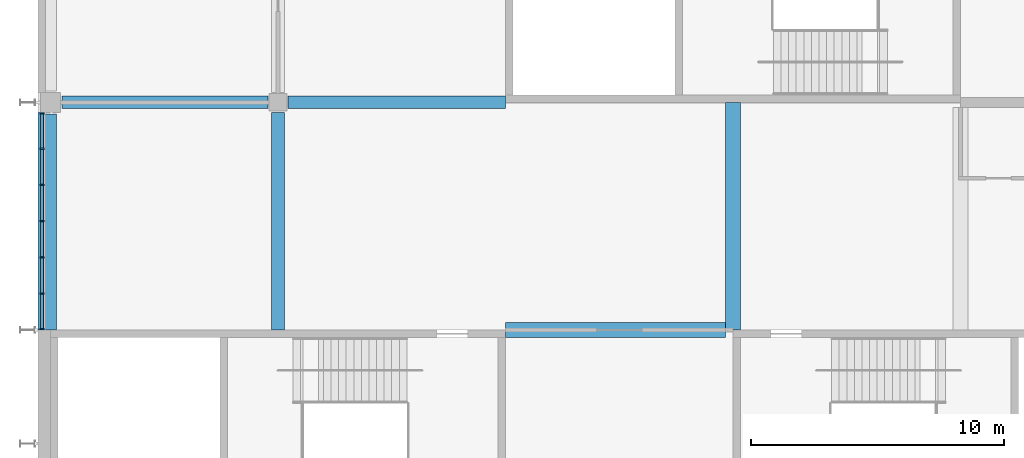
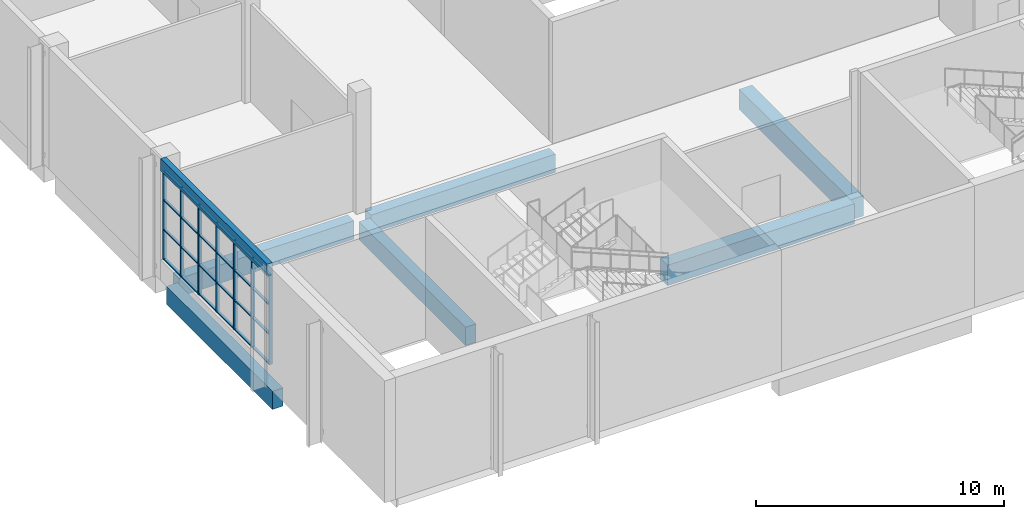
# One storey, part 6 of 89: 31 members, 7 beams, 1 element without a shape of its own.
"""IFC4 building model written with IfcOpenShell, lengths in metres."""

import ifcopenshell
import ifcopenshell.guid

model = None  # the IFC model being written
_history = None  # IfcOwnerHistory: only IFC2X3 demands one
_inside = {}  # id of a spatial element -> (the spatial element, [elements in it])
_under = {}  # id of a project, library or spatial element -> (it, [spatial elements below it])
_declared = {}  # id of a project -> (the project, [libraries it declares])
_typed = {}  # id of a type object -> (the type object, [elements of that type])
_made_of = {}  # id of a material, layer set ... -> (it, [elements and type objects made of it])


def new_model(schema):
    """Start an empty IFC model of exactly this schema.

    Asked for "IFC4X3", IfcOpenShell would pick the latest addendum, in which some entities
    have other attributes; the version numbers below select the first issue.
    IFC2X3 requires an IfcOwnerHistory on every rooted entity: one is made here for all.
    """
    global model, _history
    if schema == "IFC4X3":
        model = ifcopenshell.file(schema_version=(4, 3, 0, 0))
    else:
        model = ifcopenshell.file(schema=schema)
    _inside.clear()
    _under.clear()
    _declared.clear()
    _typed.clear()
    _made_of.clear()
    _history = None
    if model.schema == "IFC2X3":
        org = make("IfcOrganization", Name="unknown")
        user = make(
            "IfcPersonAndOrganization",
            ThePerson=make("IfcPerson", FamilyName="unknown"),
            TheOrganization=org,
        )
        app = make(
            "IfcApplication",
            ApplicationDeveloper=org,
            Version="unknown",
            ApplicationFullName="unknown",
            ApplicationIdentifier="unknown",
        )
        _history = make(
            "IfcOwnerHistory",
            OwningUser=user,
            OwningApplication=app,
            ChangeAction="ADDED",
            CreationDate=0,
        )
    return model


def make(cls, **values):
    """One entity of the class cls with the attributes given. An attribute that is None is left unset."""
    return model.create_entity(
        cls, **{name: value for name, value in values.items() if value is not None}
    )


def rooted(cls, **values):
    """An entity with a GlobalId (a new one), such as an element, a storey or a relation."""
    return make(cls, GlobalId=ifcopenshell.guid.new(), OwnerHistory=_history, **values)


def si_unit(unit_type, name, prefix=None):
    """IfcSIUnit, for example si_unit("LENGTHUNIT", "METRE", prefix="MILLI")."""
    return make("IfcSIUnit", UnitType=unit_type, Prefix=prefix, Name=name)


def assignment(units):
    """IfcUnitAssignment: the units of a project."""
    return None if units is None else make("IfcUnitAssignment", Units=units)


def point(xyz):
    """IfcCartesianPoint."""
    return None if xyz is None else make("IfcCartesianPoint", Coordinates=xyz)


def direction(xyz):
    """IfcDirection."""
    return None if xyz is None else make("IfcDirection", DirectionRatios=xyz)


def frame(location, z_axis=None, x_axis=None):
    """IfcAxis2Placement3D, a coordinate frame: its origin and axes. An axis left out is left unset."""
    return make(
        "IfcAxis2Placement3D",
        Location=point(location),
        Axis=direction(z_axis),
        RefDirection=direction(x_axis),
    )


def frame_2d(location, x_axis=None):
    """IfcAxis2Placement2D, a coordinate frame in the plane: its origin and x axis."""
    return make(
        "IfcAxis2Placement2D", Location=point(location), RefDirection=direction(x_axis)
    )


def origin():
    """The frame at (0, 0, 0) with its axes left unset."""
    return frame((0.0, 0.0, 0.0))


def origin_2d():
    """The frame at (0, 0) in the plane with its x axis left unset."""
    return frame_2d((0.0, 0.0))


def place(relative_to, where):
    """IfcLocalPlacement: puts the frame where relative to a parent placement (None: the world)."""
    return make(
        "IfcLocalPlacement", PlacementRelTo=relative_to, RelativePlacement=where
    )


def context(
    kind, dimensions, precision=None, world=None, true_north=None, identifier=None
):
    """IfcGeometricRepresentationContext, for example the 3D "Model" context."""
    return make(
        "IfcGeometricRepresentationContext",
        ContextIdentifier=identifier,
        ContextType=kind,
        CoordinateSpaceDimension=dimensions,
        Precision=precision,
        WorldCoordinateSystem=world,
        TrueNorth=true_north,
    )


def subcontext(parent, identifier, kind, view, scale=None):
    """IfcGeometricRepresentationSubContext, for example "Body" below "Model"."""
    return make(
        "IfcGeometricRepresentationSubContext",
        ContextIdentifier=identifier,
        ContextType=kind,
        ParentContext=parent,
        TargetScale=scale,
        TargetView=view,
    )


def project(units=None, contexts=None):
    """IfcProject with its units and contexts."""
    return rooted(
        "IfcProject",
        Name="project",
        RepresentationContexts=contexts,
        UnitsInContext=assignment(units),
    )


def spatial(cls, under=None, at=None, **own):
    """A site, building, storey or space (cls), placed at a placement, below another one or the project."""
    s = rooted(cls, ObjectPlacement=at, **own)
    if under is not None:
        _under.setdefault(under.id(), (under, []))[1].append(s)
    return s


def profile(cls, at=None, kind="AREA", **sizes):
    """A parametric profile (cls). Its sizes go by their IFC names, for example OverallWidth=200.0."""
    return make(cls, ProfileType=kind, Position=at, **sizes)


def rectangle(**sizes):
    """IfcRectangleProfileDef."""
    return profile("IfcRectangleProfileDef", **sizes)


def extrude(swept, where, along, depth):
    """IfcExtrudedAreaSolid: the profile swept, set in the frame where, extruded along a direction by depth."""
    return make(
        "IfcExtrudedAreaSolid",
        SweptArea=swept,
        Position=where,
        ExtrudedDirection=direction(along),
        Depth=depth,
    )


def shape(context_of_items, identifier, shape_type, items):
    """IfcShapeRepresentation: the items that make up one representation, for example the "Body"."""
    return make(
        "IfcShapeRepresentation",
        ContextOfItems=context_of_items,
        RepresentationIdentifier=identifier,
        RepresentationType=shape_type,
        Items=items,
    )


def material(Name=None, Category=None):
    """IfcMaterial."""
    return make("IfcMaterial", Name=Name, Category=Category)


def material_profile(
    of_material, cross_section, Name=None, Category=None, Priority=None
):
    """IfcMaterialProfile: a cross section and its material."""
    return make(
        "IfcMaterialProfile",
        Name=Name,
        Material=of_material,
        Profile=cross_section,
        Priority=Priority,
        Category=Category,
    )


def profile_set(profiles, Name=None, composite=None):
    """IfcMaterialProfileSet."""
    return make(
        "IfcMaterialProfileSet",
        Name=Name,
        MaterialProfiles=profiles,
        CompositeProfile=composite,
    )


def made_of(thing, what):
    """Note that an element or type object is made of a material, layer set ...; save() writes the relation."""
    if what is not None:
        _made_of.setdefault(what.id(), (what, []))[1].append(thing)
    return thing


def type_object(cls, material=None, **own):
    """A type object (cls), such as IfcWallType, which elements share."""
    return made_of(rooted(cls, **own), material)


def element(
    cls,
    number,
    at=None,
    inside=None,
    cuts=None,
    type_object=None,
    material=None,
    context=None,
    identifier="Body",
    shape_type=None,
    held_by="IfcProductDefinitionShape",
    body=None,
    shapes=None,
    **own,
):
    """One element of the class cls, such as IfcWall. Its Tag is "e" and its number.

    at: its placement. inside: the storey or other place that contains it. cuts: it is an
    opening in that element (IfcRelVoidsElement). A single representation is given by context,
    identifier, shape_type and body (its items); several are given by shapes. held_by: the class
    of the entity that holds the representations. save() writes the other relations.
    """
    e = rooted(cls, Tag="e%d" % number, ObjectPlacement=at, **own)
    if body is not None:
        shapes = [shape(context, identifier, shape_type, body)]
    if shapes is not None:
        e.Representation = make(held_by, Representations=shapes)
    if inside is not None:
        _inside.setdefault(inside.id(), (inside, []))[1].append(e)
    if cuts is not None:
        rooted(
            "IfcRelVoidsElement", RelatingBuildingElement=cuts, RelatedOpeningElement=e
        )
    if type_object is not None:
        _typed.setdefault(type_object.id(), (type_object, []))[1].append(e)
    return made_of(e, material)


def aggregate(whole, parts):
    """IfcRelAggregates: a whole, such as a stair, and the parts it consists of."""
    return rooted("IfcRelAggregates", RelatingObject=whole, RelatedObjects=parts)


def save(model, path):
    """Write the relations noted so far, then the file.

    IfcRelAggregates (storeys below a building ...), IfcRelContainedInSpatialStructure (elements
    in a storey), IfcRelDefinesByType, IfcRelAssociatesMaterial and IfcRelDeclares: one each for
    every whole, place, type object, material and project.
    """
    for whole, parts in _under.values():
        aggregate(whole, parts)
    for where, things in _inside.values():
        rooted(
            "IfcRelContainedInSpatialStructure",
            RelatedElements=things,
            RelatingStructure=where,
        )
    for kind, things in _typed.values():
        rooted("IfcRelDefinesByType", RelatedObjects=things, RelatingType=kind)
    for what, things in _made_of.values():
        rooted("IfcRelAssociatesMaterial", RelatedObjects=things, RelatingMaterial=what)
    for by, libraries in _declared.values():
        rooted("IfcRelDeclares", RelatingContext=by, RelatedDefinitions=libraries)
    model.write(path)


model = new_model("IFC4")

# Units and contexts
model_context = context("Model", 3, precision=1e-05, world=origin(), true_north=direction((0.0, 1.0)))
body_context = subcontext(model_context, "Body", "Model", "MODEL_VIEW")
ifc_project = project(units=[si_unit("LENGTHUNIT", "METRE"), si_unit("AREAUNIT", "SQUARE_METRE"), si_unit("VOLUMEUNIT", "CUBIC_METRE"), si_unit("PLANEANGLEUNIT", "RADIAN"), si_unit("MASSUNIT", "GRAM", prefix="KILO")], contexts=[model_context])

# Site, building, storey
site_placement = place(None, origin())
site = spatial("IfcSite", under=ifc_project, at=site_placement, CompositionType="ELEMENT")
building_placement = place(site_placement, origin())
building = spatial("IfcBuilding", under=site, at=building_placement, Name="Silverbay Arena", CompositionType="ELEMENT")
storey_placement = place(building_placement, frame((0.0, 0.0, 22.0)))
storey = spatial("IfcBuildingStorey", under=building, at=storey_placement, Name="L03", CompositionType="ELEMENT", Elevation=22.0)

# Curtain wall, members
ifc_material_1 = material(Name="Aluminium framed curtain wall", Category="aluminium")
curtain_wall_type = type_object("IfcCurtainWallType", Name="Curtain wall 8600 x 4400", PredefinedType="NOTDEFINED", material=ifc_material_1)
curtain_wall_placement = place(storey_placement, origin())
curtain_wall = element("IfcCurtainWall", 1, at=curtain_wall_placement, inside=storey, type_object=curtain_wall_type, Name="West curtain wall L03 bay 2", PredefinedType="NOTDEFINED")
ifc_material_2 = material(Name="Aluminium", Category="aluminium")
ifc_material_profile_1 = material_profile(ifc_material_2, rectangle(XDim=0.159912109375, YDim=0.06005859375, at=origin_2d()), Name="Mullion 60 x 160")
ifc_profile_set_1 = profile_set([ifc_material_profile_1], Name="Aluminium")
member_type_1 = type_object("IfcMemberType", Name="Mullion 60 x 160", PredefinedType="MULLION", material=ifc_profile_set_1)
member_1_placement = place(storey_placement, frame((53.669921875, 35.570068359375, 1.0), z_axis=(0.0, 0.0, 1.0), x_axis=(1.0, 0.0, 0.0)))
member_1 = element("IfcMember", 2, at=member_1_placement, type_object=member_type_1, Name="CW12 mullion 1", PredefinedType="MULLION", context=body_context, shape_type="SweptSolid", body=[
    extrude(rectangle(XDim=0.159912109375, YDim=0.06005859375, at=origin_2d()), origin(), (0.0, 0.0, 1.0), 4.39990234375),
])
member_2_placement = place(storey_placement, frame((53.669921875, 34.166748046875, 1.0), z_axis=(0.0, 0.0, 1.0), x_axis=(1.0, 0.0, 0.0)))
member_2 = element("IfcMember", 3, at=member_2_placement, type_object=member_type_1, Name="CW12 mullion 2", PredefinedType="MULLION", context=body_context, shape_type="SweptSolid", body=[
    extrude(rectangle(XDim=0.159912109375, YDim=0.06005859375, at=origin_2d()), origin(), (0.0, 0.0, 1.0), 4.39990234375),
])
member_3_placement = place(storey_placement, frame((53.669921875, 32.7333984375, 1.0), z_axis=(0.0, 0.0, 1.0), x_axis=(1.0, 0.0, 0.0)))
member_3 = element("IfcMember", 4, at=member_3_placement, type_object=member_type_1, Name="CW12 mullion 3", PredefinedType="MULLION", context=body_context, shape_type="SweptSolid", body=[
    extrude(rectangle(XDim=0.159912109375, YDim=0.06005859375, at=origin_2d()), origin(), (0.0, 0.0, 1.0), 4.39990234375),
])
member_4_placement = place(storey_placement, frame((53.669921875, 31.300048828125, 1.0), z_axis=(0.0, 0.0, 1.0), x_axis=(1.0, 0.0, 0.0)))
member_4 = element("IfcMember", 5, at=member_4_placement, type_object=member_type_1, Name="CW12 mullion 4", PredefinedType="MULLION", context=body_context, shape_type="SweptSolid", body=[
    extrude(rectangle(XDim=0.159912109375, YDim=0.06005859375, at=origin_2d()), origin(), (0.0, 0.0, 1.0), 4.39990234375),
])
member_5_placement = place(storey_placement, frame((53.669921875, 29.86669921875, 1.0), z_axis=(0.0, 0.0, 1.0), x_axis=(1.0, 0.0, 0.0)))
member_5 = element("IfcMember", 6, at=member_5_placement, type_object=member_type_1, Name="CW12 mullion 5", PredefinedType="MULLION", context=body_context, shape_type="SweptSolid", body=[
    extrude(rectangle(XDim=0.159912109375, YDim=0.06005859375, at=origin_2d()), origin(), (0.0, 0.0, 1.0), 4.39990234375),
])
member_6_placement = place(storey_placement, frame((53.669921875, 28.433349609375, 1.0), z_axis=(0.0, 0.0, 1.0), x_axis=(1.0, 0.0, 0.0)))
member_6 = element("IfcMember", 7, at=member_6_placement, type_object=member_type_1, Name="CW12 mullion 6", PredefinedType="MULLION", context=body_context, shape_type="SweptSolid", body=[
    extrude(rectangle(XDim=0.159912109375, YDim=0.06005859375, at=origin_2d()), origin(), (0.0, 0.0, 1.0), 4.39990234375),
])
member_7_placement = place(storey_placement, frame((53.669921875, 27.030029296875, 1.0), z_axis=(0.0, 0.0, 1.0), x_axis=(1.0, 0.0, 0.0)))
member_7 = element("IfcMember", 8, at=member_7_placement, type_object=member_type_1, Name="CW12 mullion 7", PredefinedType="MULLION", context=body_context, shape_type="SweptSolid", body=[
    extrude(rectangle(XDim=0.159912109375, YDim=0.06005859375, at=origin_2d()), origin(), (0.0, 0.0, 1.0), 4.39990234375),
])

# Beams
ifc_material_3 = material(Name="Concrete Grade C45", Category="concrete")
ifc_material_profile_2 = material_profile(ifc_material_3, rectangle(XDim=0.5, YDim=0.89990234375, at=origin_2d()), Name="RC 500x900")
ifc_profile_set_2 = profile_set([ifc_material_profile_2], Name="Concrete Grade C45")
beam_type_1 = type_object("IfcBeamType", Name="RC beam 500x900", PredefinedType="BEAM", material=ifc_profile_set_2)
beam_1_placement = place(storey_placement, frame((54.449951171875, 36.0, -0.800048828125), z_axis=(1.0, 0.0, 0.0), x_axis=(0.0, 1.0, 0.0)))
element("IfcBeam", 9, at=beam_1_placement, inside=storey, type_object=beam_type_1, Name="Floor beam L03 011", PredefinedType="BEAM", context=body_context, shape_type="SweptSolid", body=[
    extrude(rectangle(XDim=0.5, YDim=0.89990234375, at=origin_2d()), origin(), (0.0, 0.0, 1.0), 8.150146484375),
])
beam_2_placement = place(storey_placement, frame((63.39990234375, 36.0, -0.800048828125), z_axis=(1.0, 0.0, 0.0), x_axis=(0.0, 1.0, 0.0)))
element("IfcBeam", 10, at=beam_2_placement, inside=storey, type_object=beam_type_1, Name="Floor beam L03 012", PredefinedType="BEAM", context=body_context, shape_type="SweptSolid", body=[
    extrude(rectangle(XDim=0.5, YDim=0.89990234375, at=origin_2d()), origin(), (0.0, 0.0, 1.0), 8.60009765625),
])
beam_3_placement = place(storey_placement, frame((54.0, 27.0, -0.800048828125), z_axis=(0.0, 1.0, 0.0), x_axis=(-1.0, 0.0, 0.0)))
element("IfcBeam", 11, at=beam_3_placement, inside=storey, type_object=beam_type_1, Name="Floor beam L03 083", PredefinedType="BEAM", context=body_context, shape_type="SweptSolid", body=[
    extrude(rectangle(XDim=0.5, YDim=0.89990234375, at=origin_2d()), origin(), (0.0, 0.0, 1.0), 8.550048828125),
])
beam_4_placement = place(storey_placement, frame((63.0, 27.0, -0.800048828125), z_axis=(0.0, 1.0, 0.0), x_axis=(-1.0, 0.0, 0.0)))
element("IfcBeam", 12, at=beam_4_placement, inside=storey, type_object=beam_type_1, Name="Floor beam L03 091", PredefinedType="BEAM", context=body_context, shape_type="SweptSolid", body=[
    extrude(rectangle(XDim=0.5, YDim=0.89990234375, at=origin_2d()), origin(), (0.0, 0.0, 1.0), 8.60009765625),
])
ifc_material_4 = material(Name="Concrete Grade C45", Category="concrete")
ifc_material_profile_3 = material_profile(ifc_material_4, rectangle(XDim=0.60009765625, YDim=1.0, at=origin_2d()), Name="RC 600x1000")
ifc_profile_set_3 = profile_set([ifc_material_profile_3], Name="Concrete Grade C45")
beam_type_2 = type_object("IfcBeamType", Name="RC beam 600x1000", PredefinedType="BEAM", material=ifc_profile_set_3)
beam_5_placement = place(storey_placement, frame((72.0, 27.0, -0.85009765625), z_axis=(1.0, 0.0, 0.0), x_axis=(0.0, 1.0, 0.0)))
element("IfcBeam", 13, at=beam_5_placement, inside=storey, type_object=beam_type_2, Name="Floor beam L03 006", PredefinedType="BEAM", context=body_context, shape_type="SweptSolid", body=[
    extrude(rectangle(XDim=0.60009765625, YDim=1.0, at=origin_2d()), origin(), (0.0, 0.0, 1.0), 8.699951171875),
])
beam_6_placement = place(storey_placement, frame((81.0, 27.0, -0.85009765625), z_axis=(0.0, 1.0, 0.0), x_axis=(-1.0, 0.0, 0.0)))
element("IfcBeam", 14, at=beam_6_placement, inside=storey, type_object=beam_type_2, Name="Floor beam L03 099", PredefinedType="BEAM", context=body_context, shape_type="SweptSolid", body=[
    extrude(rectangle(XDim=0.60009765625, YDim=1.0, at=origin_2d()), origin(), (0.0, 0.0, 1.0), 9.0),
])
ifc_material_5 = material(Name="Concrete Grade C45", Category="concrete")
ifc_material_profile_4 = material_profile(ifc_material_5, rectangle(XDim=0.25, YDim=0.60009765625, at=origin_2d()), Name="RC 250x600")
ifc_profile_set_4 = profile_set([ifc_material_profile_4], Name="Concrete Grade C45")
beam_type_3 = type_object("IfcBeamType", Name="RC facade beam 250x600", PredefinedType="SPANDREL", material=ifc_profile_set_4)
beam_7_placement = place(storey_placement, frame((53.625, 27.0, 5.699951171875), z_axis=(0.0, 1.0, 0.0), x_axis=(-1.0, 0.0, 0.0)))
element("IfcBeam", 15, at=beam_7_placement, inside=storey, type_object=beam_type_3, Name="Facade beam L03 west", PredefinedType="SPANDREL", context=body_context, shape_type="SweptSolid", body=[
    extrude(rectangle(XDim=0.25, YDim=0.60009765625, at=origin_2d()), origin(), (0.0, 0.0, 1.0), 8.60009765625),
])

# Member
ifc_material_6 = material(Name="Aluminium", Category="aluminium")
ifc_material_profile_5 = material_profile(ifc_material_6, rectangle(XDim=0.1201171875, YDim=0.050048828125, at=origin_2d()), Name="Transom 50 x 120")
ifc_profile_set_5 = profile_set([ifc_material_profile_5], Name="Aluminium")
member_type_2 = type_object("IfcMemberType", Name="Transom 50 x 120", PredefinedType="USERDEFINED", material=ifc_profile_set_5)
member_8_placement = place(storey_placement, frame((53.669921875, 35.5400390625, 1.02490234375), z_axis=(0.0, -1.0, 0.0), x_axis=(1.0, 0.0, 0.0)))
member_8 = element("IfcMember", 16, at=member_8_placement, type_object=member_type_2, Name="CW12 transom 1.1", ObjectType="TRANSOM", PredefinedType="USERDEFINED", context=body_context, shape_type="SweptSolid", body=[
    extrude(rectangle(XDim=0.1201171875, YDim=0.050048828125, at=origin_2d()), origin(), (0.0, 0.0, 1.0), 1.34326171875),
])

member_9_placement = place(storey_placement, frame((53.669921875, 35.5400390625, 2.466552734375), z_axis=(0.0, -1.0, 0.0), x_axis=(1.0, 0.0, 0.0)))
member_9 = element("IfcMember", 17, at=member_9_placement, type_object=member_type_2, Name="CW12 transom 1.2", ObjectType="TRANSOM", PredefinedType="USERDEFINED", context=body_context, shape_type="SweptSolid", body=[
    extrude(rectangle(XDim=0.1201171875, YDim=0.050048828125, at=origin_2d()), origin(), (0.0, 0.0, 1.0), 1.34326171875),
])

member_10_placement = place(storey_placement, frame((53.669921875, 35.5400390625, 3.933349609375), z_axis=(0.0, -1.0, 0.0), x_axis=(1.0, 0.0, 0.0)))
member_10 = element("IfcMember", 18, at=member_10_placement, type_object=member_type_2, Name="CW12 transom 1.3", ObjectType="TRANSOM", PredefinedType="USERDEFINED", context=body_context, shape_type="SweptSolid", body=[
    extrude(rectangle(XDim=0.1201171875, YDim=0.050048828125, at=origin_2d()), origin(), (0.0, 0.0, 1.0), 1.34326171875),
])

member_11_placement = place(storey_placement, frame((53.669921875, 35.5400390625, 5.375), z_axis=(0.0, -1.0, 0.0), x_axis=(1.0, 0.0, 0.0)))
member_11 = element("IfcMember", 19, at=member_11_placement, type_object=member_type_2, Name="CW12 transom 1.4", ObjectType="TRANSOM", PredefinedType="USERDEFINED", context=body_context, shape_type="SweptSolid", body=[
    extrude(rectangle(XDim=0.1201171875, YDim=0.050048828125, at=origin_2d()), origin(), (0.0, 0.0, 1.0), 1.34326171875),
])

member_12_placement = place(storey_placement, frame((53.669921875, 34.13671875, 1.02490234375), z_axis=(0.0, -1.0, 0.0), x_axis=(1.0, 0.0, 0.0)))
member_12 = element("IfcMember", 20, at=member_12_placement, type_object=member_type_2, Name="CW12 transom 2.1", ObjectType="TRANSOM", PredefinedType="USERDEFINED", context=body_context, shape_type="SweptSolid", body=[
    extrude(rectangle(XDim=0.1201171875, YDim=0.050048828125, at=origin_2d()), origin(), (0.0, 0.0, 1.0), 1.373291015625),
])

member_13_placement = place(storey_placement, frame((53.669921875, 34.13671875, 2.466552734375), z_axis=(0.0, -1.0, 0.0), x_axis=(1.0, 0.0, 0.0)))
member_13 = element("IfcMember", 21, at=member_13_placement, type_object=member_type_2, Name="CW12 transom 2.2", ObjectType="TRANSOM", PredefinedType="USERDEFINED", context=body_context, shape_type="SweptSolid", body=[
    extrude(rectangle(XDim=0.1201171875, YDim=0.050048828125, at=origin_2d()), origin(), (0.0, 0.0, 1.0), 1.373291015625),
])

member_14_placement = place(storey_placement, frame((53.669921875, 34.13671875, 3.933349609375), z_axis=(0.0, -1.0, 0.0), x_axis=(1.0, 0.0, 0.0)))
member_14 = element("IfcMember", 22, at=member_14_placement, type_object=member_type_2, Name="CW12 transom 2.3", ObjectType="TRANSOM", PredefinedType="USERDEFINED", context=body_context, shape_type="SweptSolid", body=[
    extrude(rectangle(XDim=0.1201171875, YDim=0.050048828125, at=origin_2d()), origin(), (0.0, 0.0, 1.0), 1.373291015625),
])

member_15_placement = place(storey_placement, frame((53.669921875, 34.13671875, 5.375), z_axis=(0.0, -1.0, 0.0), x_axis=(1.0, 0.0, 0.0)))
member_15 = element("IfcMember", 23, at=member_15_placement, type_object=member_type_2, Name="CW12 transom 2.4", ObjectType="TRANSOM", PredefinedType="USERDEFINED", context=body_context, shape_type="SweptSolid", body=[
    extrude(rectangle(XDim=0.1201171875, YDim=0.050048828125, at=origin_2d()), origin(), (0.0, 0.0, 1.0), 1.373291015625),
])

member_16_placement = place(storey_placement, frame((53.669921875, 32.703369140625, 1.02490234375), z_axis=(0.0, -1.0, 0.0), x_axis=(1.0, 0.0, 0.0)))
member_16 = element("IfcMember", 24, at=member_16_placement, type_object=member_type_2, Name="CW12 transom 3.1", ObjectType="TRANSOM", PredefinedType="USERDEFINED", context=body_context, shape_type="SweptSolid", body=[
    extrude(rectangle(XDim=0.1201171875, YDim=0.050048828125, at=origin_2d()), origin(), (0.0, 0.0, 1.0), 1.373291015625),
])

member_17_placement = place(storey_placement, frame((53.669921875, 32.703369140625, 2.466552734375), z_axis=(0.0, -1.0, 0.0), x_axis=(1.0, 0.0, 0.0)))
member_17 = element("IfcMember", 25, at=member_17_placement, type_object=member_type_2, Name="CW12 transom 3.2", ObjectType="TRANSOM", PredefinedType="USERDEFINED", context=body_context, shape_type="SweptSolid", body=[
    extrude(rectangle(XDim=0.1201171875, YDim=0.050048828125, at=origin_2d()), origin(), (0.0, 0.0, 1.0), 1.373291015625),
])

member_18_placement = place(storey_placement, frame((53.669921875, 32.703369140625, 3.933349609375), z_axis=(0.0, -1.0, 0.0), x_axis=(1.0, 0.0, 0.0)))
member_18 = element("IfcMember", 26, at=member_18_placement, type_object=member_type_2, Name="CW12 transom 3.3", ObjectType="TRANSOM", PredefinedType="USERDEFINED", context=body_context, shape_type="SweptSolid", body=[
    extrude(rectangle(XDim=0.1201171875, YDim=0.050048828125, at=origin_2d()), origin(), (0.0, 0.0, 1.0), 1.373291015625),
])

member_19_placement = place(storey_placement, frame((53.669921875, 32.703369140625, 5.375), z_axis=(0.0, -1.0, 0.0), x_axis=(1.0, 0.0, 0.0)))
member_19 = element("IfcMember", 27, at=member_19_placement, type_object=member_type_2, Name="CW12 transom 3.4", ObjectType="TRANSOM", PredefinedType="USERDEFINED", context=body_context, shape_type="SweptSolid", body=[
    extrude(rectangle(XDim=0.1201171875, YDim=0.050048828125, at=origin_2d()), origin(), (0.0, 0.0, 1.0), 1.373291015625),
])

member_20_placement = place(storey_placement, frame((53.669921875, 31.27001953125, 1.02490234375), z_axis=(0.0, -1.0, 0.0), x_axis=(1.0, 0.0, 0.0)))
member_20 = element("IfcMember", 28, at=member_20_placement, type_object=member_type_2, Name="CW12 transom 4.1", ObjectType="TRANSOM", PredefinedType="USERDEFINED", context=body_context, shape_type="SweptSolid", body=[
    extrude(rectangle(XDim=0.1201171875, YDim=0.050048828125, at=origin_2d()), origin(), (0.0, 0.0, 1.0), 1.373291015625),
])

member_21_placement = place(storey_placement, frame((53.669921875, 31.27001953125, 2.466552734375), z_axis=(0.0, -1.0, 0.0), x_axis=(1.0, 0.0, 0.0)))
member_21 = element("IfcMember", 29, at=member_21_placement, type_object=member_type_2, Name="CW12 transom 4.2", ObjectType="TRANSOM", PredefinedType="USERDEFINED", context=body_context, shape_type="SweptSolid", body=[
    extrude(rectangle(XDim=0.1201171875, YDim=0.050048828125, at=origin_2d()), origin(), (0.0, 0.0, 1.0), 1.373291015625),
])

member_22_placement = place(storey_placement, frame((53.669921875, 31.27001953125, 3.933349609375), z_axis=(0.0, -1.0, 0.0), x_axis=(1.0, 0.0, 0.0)))
member_22 = element("IfcMember", 30, at=member_22_placement, type_object=member_type_2, Name="CW12 transom 4.3", ObjectType="TRANSOM", PredefinedType="USERDEFINED", context=body_context, shape_type="SweptSolid", body=[
    extrude(rectangle(XDim=0.1201171875, YDim=0.050048828125, at=origin_2d()), origin(), (0.0, 0.0, 1.0), 1.373291015625),
])

member_23_placement = place(storey_placement, frame((53.669921875, 31.27001953125, 5.375), z_axis=(0.0, -1.0, 0.0), x_axis=(1.0, 0.0, 0.0)))
member_23 = element("IfcMember", 31, at=member_23_placement, type_object=member_type_2, Name="CW12 transom 4.4", ObjectType="TRANSOM", PredefinedType="USERDEFINED", context=body_context, shape_type="SweptSolid", body=[
    extrude(rectangle(XDim=0.1201171875, YDim=0.050048828125, at=origin_2d()), origin(), (0.0, 0.0, 1.0), 1.373291015625),
])

member_24_placement = place(storey_placement, frame((53.669921875, 29.836669921875, 1.02490234375), z_axis=(0.0, -1.0, 0.0), x_axis=(1.0, 0.0, 0.0)))
member_24 = element("IfcMember", 32, at=member_24_placement, type_object=member_type_2, Name="CW12 transom 5.1", ObjectType="TRANSOM", PredefinedType="USERDEFINED", context=body_context, shape_type="SweptSolid", body=[
    extrude(rectangle(XDim=0.1201171875, YDim=0.050048828125, at=origin_2d()), origin(), (0.0, 0.0, 1.0), 1.373291015625),
])

member_25_placement = place(storey_placement, frame((53.669921875, 29.836669921875, 2.466552734375), z_axis=(0.0, -1.0, 0.0), x_axis=(1.0, 0.0, 0.0)))
member_25 = element("IfcMember", 33, at=member_25_placement, type_object=member_type_2, Name="CW12 transom 5.2", ObjectType="TRANSOM", PredefinedType="USERDEFINED", context=body_context, shape_type="SweptSolid", body=[
    extrude(rectangle(XDim=0.1201171875, YDim=0.050048828125, at=origin_2d()), origin(), (0.0, 0.0, 1.0), 1.373291015625),
])

member_26_placement = place(storey_placement, frame((53.669921875, 29.836669921875, 3.933349609375), z_axis=(0.0, -1.0, 0.0), x_axis=(1.0, 0.0, 0.0)))
member_26 = element("IfcMember", 34, at=member_26_placement, type_object=member_type_2, Name="CW12 transom 5.3", ObjectType="TRANSOM", PredefinedType="USERDEFINED", context=body_context, shape_type="SweptSolid", body=[
    extrude(rectangle(XDim=0.1201171875, YDim=0.050048828125, at=origin_2d()), origin(), (0.0, 0.0, 1.0), 1.373291015625),
])

member_27_placement = place(storey_placement, frame((53.669921875, 29.836669921875, 5.375), z_axis=(0.0, -1.0, 0.0), x_axis=(1.0, 0.0, 0.0)))
member_27 = element("IfcMember", 35, at=member_27_placement, type_object=member_type_2, Name="CW12 transom 5.4", ObjectType="TRANSOM", PredefinedType="USERDEFINED", context=body_context, shape_type="SweptSolid", body=[
    extrude(rectangle(XDim=0.1201171875, YDim=0.050048828125, at=origin_2d()), origin(), (0.0, 0.0, 1.0), 1.373291015625),
])

member_28_placement = place(storey_placement, frame((53.669921875, 28.4033203125, 1.02490234375), z_axis=(0.0, -1.0, 0.0), x_axis=(1.0, 0.0, 0.0)))
member_28 = element("IfcMember", 36, at=member_28_placement, type_object=member_type_2, Name="CW12 transom 6.1", ObjectType="TRANSOM", PredefinedType="USERDEFINED", context=body_context, shape_type="SweptSolid", body=[
    extrude(rectangle(XDim=0.1201171875, YDim=0.050048828125, at=origin_2d()), origin(), (0.0, 0.0, 1.0), 1.34326171875),
])

member_29_placement = place(storey_placement, frame((53.669921875, 28.4033203125, 2.466552734375), z_axis=(0.0, -1.0, 0.0), x_axis=(1.0, 0.0, 0.0)))
member_29 = element("IfcMember", 37, at=member_29_placement, type_object=member_type_2, Name="CW12 transom 6.2", ObjectType="TRANSOM", PredefinedType="USERDEFINED", context=body_context, shape_type="SweptSolid", body=[
    extrude(rectangle(XDim=0.1201171875, YDim=0.050048828125, at=origin_2d()), origin(), (0.0, 0.0, 1.0), 1.34326171875),
])

member_30_placement = place(storey_placement, frame((53.669921875, 28.4033203125, 3.933349609375), z_axis=(0.0, -1.0, 0.0), x_axis=(1.0, 0.0, 0.0)))
member_30 = element("IfcMember", 38, at=member_30_placement, type_object=member_type_2, Name="CW12 transom 6.3", ObjectType="TRANSOM", PredefinedType="USERDEFINED", context=body_context, shape_type="SweptSolid", body=[
    extrude(rectangle(XDim=0.1201171875, YDim=0.050048828125, at=origin_2d()), origin(), (0.0, 0.0, 1.0), 1.34326171875),
])

member_31_placement = place(storey_placement, frame((53.669921875, 28.4033203125, 5.375), z_axis=(0.0, -1.0, 0.0), x_axis=(1.0, 0.0, 0.0)))
member_31 = element("IfcMember", 39, at=member_31_placement, type_object=member_type_2, Name="CW12 transom 6.4", ObjectType="TRANSOM", PredefinedType="USERDEFINED", context=body_context, shape_type="SweptSolid", body=[
    extrude(rectangle(XDim=0.1201171875, YDim=0.050048828125, at=origin_2d()), origin(), (0.0, 0.0, 1.0), 1.34326171875),
])

aggregate(curtain_wall, [member_1, member_2, member_3, member_4, member_5, member_6, member_7, member_8, member_9, member_10, member_11, member_12, member_13, member_14, member_15, member_16, member_17, member_18, member_19, member_20, member_21, member_22, member_23, member_24, member_25, member_26, member_27, member_28, member_29, member_30, member_31])

save(model, "model.ifc")
